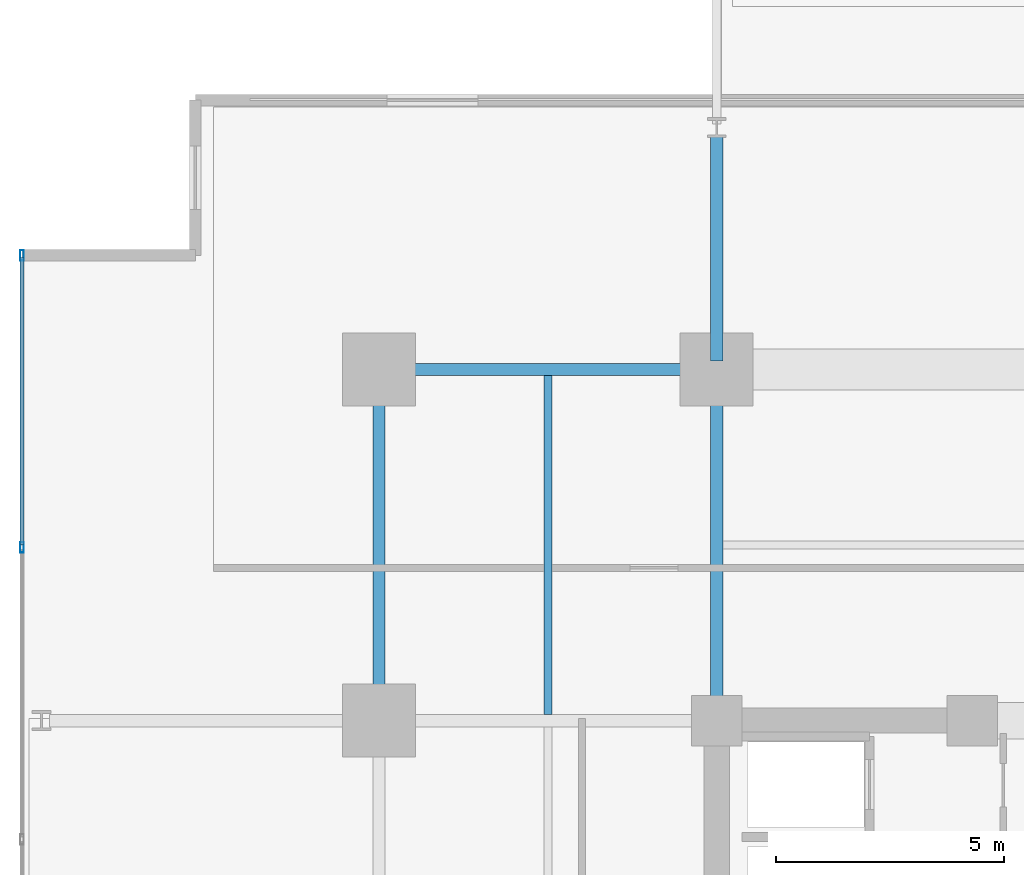
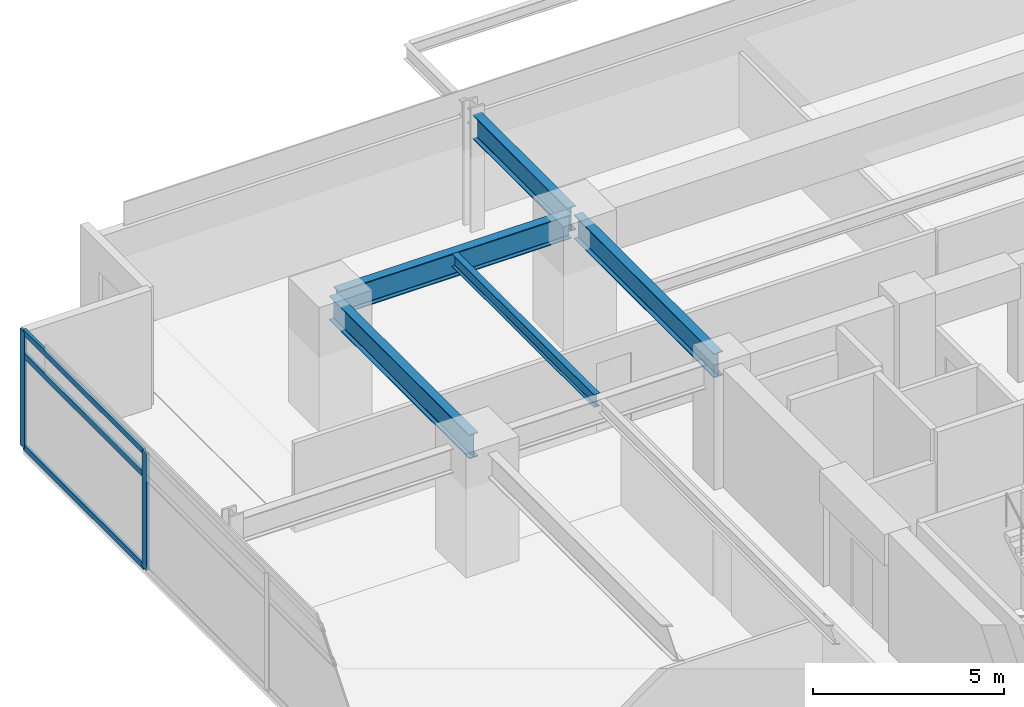
# One storey, part 10 of 20: 5 beams, 5 members, 1 element without a shape of its own.
"""IFC4 building model written with IfcOpenShell, lengths in metres."""

from ifc_helpers import new_model, si_unit, direction, frame, origin, origin_2d, place, context, subcontext, project, spatial, hollow_rectangle, i_section, extrude, material, material_profile, profile_set, type_object, element, aggregate, save


model = new_model("IFC4")

# Units and contexts
model_context = context("Model", 3, precision=1e-05, world=origin(), true_north=direction((0.0, 1.0)))
body_context = subcontext(model_context, "Body", "Model", "MODEL_VIEW")
ifc_project = project(units=[si_unit("LENGTHUNIT", "METRE"), si_unit("AREAUNIT", "SQUARE_METRE"), si_unit("VOLUMEUNIT", "CUBIC_METRE"), si_unit("PLANEANGLEUNIT", "RADIAN"), si_unit("MASSUNIT", "GRAM", prefix="KILO")], contexts=[model_context])

# Site, building, storey
site_placement = place(None, origin())
site = spatial("IfcSite", under=ifc_project, at=site_placement, CompositionType="ELEMENT")
building_placement = place(site_placement, origin())
building = spatial("IfcBuilding", under=site, at=building_placement, Name="Kovane Verandah Tower", CompositionType="ELEMENT")
storey_placement = place(building_placement, frame((0.0, 0.0, 128.39990234375)))
storey = spatial("IfcBuildingStorey", under=building, at=storey_placement, Name="L29", CompositionType="ELEMENT", Elevation=128.39990234375)

# Beams
ifc_material_1 = material(Name="Steel S355", Category="steel")
ifc_material_profile_1 = material_profile(ifc_material_1, i_section(OverallWidth=0.26806640625, OverallDepth=0.769775390625, WebThickness=0.015625, FlangeThickness=0.025390625, FilletRadius=0.0166015625, at=origin_2d()), Name="UB762x267x197")
ifc_profile_set_1 = profile_set([ifc_material_profile_1], Name="Steel S355")
beam_type_1 = type_object("IfcBeamType", Name="BM-UB762x197", PredefinedType="BEAM", material=ifc_profile_set_1)
beam_1_placement = place(storey_placement, frame((21.780029296875, 44.199951171875, 3.39013671875), z_axis=(1.0, 0.0, 0.0), x_axis=(0.0, 1.0, 0.0)))
element("IfcBeam", 1, at=beam_1_placement, inside=storey, type_object=beam_type_1, Name="L29 Primary Tower Girder G-RN1", PredefinedType="BEAM", context=body_context, shape_type="SweptSolid", body=[
    extrude(i_section(OverallWidth=0.26806640625, OverallDepth=0.769775390625, WebThickness=0.015625, FlangeThickness=0.025390625, FilletRadius=0.0166015625, at=origin_2d()), origin(), (0.0, 0.0, 1.0), 7.0400390625),
])
for number, where, z_axis, x_axis, name in (
    (2, (21.60009765625, 36.679931640625, 3.39013671875), (0.0, 1.0, 0.0), (-1.0, 0.0, 0.0), "L29 Primary Tower Girder G-RW3"),
    (3, (29.0, 36.679931640625, 3.39013671875), (0.0, 1.0, 0.0), (-1.0, 0.0, 0.0), "L29 Primary Tower Girder G-N1"),
):
    element("IfcBeam", number, at=place(storey_placement, frame(where, z_axis=z_axis, x_axis=x_axis)), inside=storey, type_object=beam_type_1, Name=name, PredefinedType="BEAM", context=body_context, shape_type="SweptSolid", body=[
        extrude(i_section(OverallWidth=0.26806640625, OverallDepth=0.769775390625, WebThickness=0.015625, FlangeThickness=0.025390625, FilletRadius=0.0166015625, at=origin_2d()), origin(), (0.0, 0.0, 1.0), 7.340087890625),
    ])
beam_2_placement = place(storey_placement, frame((29.0, 44.3798828125, 3.375244140625), z_axis=(0.0, 1.0, 0.0), x_axis=(-1.0, 0.0, 0.0)))
element("IfcBeam", 4, at=beam_2_placement, inside=storey, type_object=beam_type_1, Name="L29 Primary Tower Girder G-VN1", PredefinedType="BEAM", context=body_context, shape_type="SweptSolid", body=[
    extrude(i_section(OverallWidth=0.26806640625, OverallDepth=0.769775390625, WebThickness=0.015625, FlangeThickness=0.025390625, FilletRadius=0.0166015625, at=origin_2d()), origin(), (0.0, 0.0, 1.0), 4.940185546875),
])

# Curtain wall, members
ifc_material_2 = material(Name="Champagne Anodised Aluminium Frame with Low-E Clear Laminated Glass", Category="aluminium")
curtain_wall_type = type_object("IfcCurtainWallType", Name="CW-SYS-03-MID", PredefinedType="NOTDEFINED", material=ifc_material_2)
curtain_wall_placement = place(storey_placement, origin())
curtain_wall = element("IfcCurtainWall", 5, at=curtain_wall_placement, inside=storey, type_object=curtain_wall_type, Name="L29 W Unitised Curtain Wall", PredefinedType="NOTDEFINED")
ifc_material_3 = material(Name="Champagne Anodised Aluminium 6063-T6", Category="aluminium")
ifc_material_profile_2 = material_profile(ifc_material_3, hollow_rectangle(XDim=0.0849609375, YDim=0.22998046875, WallThickness=0.00390625, at=origin_2d()), Name="AL85x230x4")
ifc_profile_set_2 = profile_set([ifc_material_profile_2], Name="Champagne Anodised Aluminium 6063-T6")
member_type_1 = type_object("IfcMemberType", Name="CW-MUL-85x230", PredefinedType="MULLION", material=ifc_profile_set_2)
member_1_placement = place(storey_placement, frame((13.771240234375, 46.7001953125, 0.02001953125), z_axis=(0.0, 0.0, 1.0), x_axis=(-1.0, 0.0, 0.0)))
member_1 = element("IfcMember", 6, at=member_1_placement, type_object=member_type_1, Name="L29 W Unitised Curtain Wall Mullion 1", PredefinedType="MULLION", context=body_context, shape_type="SweptSolid", body=[
    extrude(hollow_rectangle(XDim=0.0849609375, YDim=0.22998046875, WallThickness=0.00390625, at=origin_2d()), origin(), (0.0, 0.0, 1.0), 3.735107421875),
])
member_2_placement = place(storey_placement, frame((13.771240234375, 40.300048828125, 0.02001953125), z_axis=(0.0, 0.0, 1.0), x_axis=(-1.0, 0.0, 0.0)))
member_2 = element("IfcMember", 7, at=member_2_placement, type_object=member_type_1, Name="L29 W Unitised Curtain Wall Mullion 2", PredefinedType="MULLION", context=body_context, shape_type="SweptSolid", body=[
    extrude(hollow_rectangle(XDim=0.0849609375, YDim=0.22998046875, WallThickness=0.00390625, at=origin_2d()), origin(), (0.0, 0.0, 1.0), 3.735107421875),
])
ifc_material_profile_3 = material_profile(ifc_material_3, hollow_rectangle(XDim=0.0849609375, YDim=0.18994140625, WallThickness=0.00390625, at=origin_2d()), Name="AL85x190x4")
ifc_profile_set_3 = profile_set([ifc_material_profile_3], Name="Champagne Anodised Aluminium 6063-T6")
member_type_2 = type_object("IfcMemberType", Name="CW-TRN-85x190", PredefinedType="USERDEFINED", material=ifc_profile_set_3)
member_3_placement = place(storey_placement, frame((13.771240234375, 46.650146484375, 0.050048828125), z_axis=(0.0, -1.0, 0.0), x_axis=(1.0, 0.0, 0.0)))
member_3 = element("IfcMember", 8, at=member_3_placement, type_object=member_type_2, Name="L29 W Unitised Curtain Wall Transom TB Bay 1", ObjectType="TRANSOM", PredefinedType="USERDEFINED", context=body_context, shape_type="SweptSolid", body=[
    extrude(hollow_rectangle(XDim=0.0849609375, YDim=0.18994140625, WallThickness=0.00390625, at=origin_2d()), origin(), (0.0, 0.0, 1.0), 6.300048828125),
])
member_4_placement = place(storey_placement, frame((13.771240234375, 46.650146484375, 2.9951171875), z_axis=(0.0, -1.0, 0.0), x_axis=(1.0, 0.0, 0.0)))
member_4 = element("IfcMember", 9, at=member_4_placement, type_object=member_type_2, Name="L29 W Unitised Curtain Wall Transom TM Bay 1", ObjectType="TRANSOM", PredefinedType="USERDEFINED", context=body_context, shape_type="SweptSolid", body=[
    extrude(hollow_rectangle(XDim=0.0849609375, YDim=0.18994140625, WallThickness=0.00390625, at=origin_2d()), origin(), (0.0, 0.0, 1.0), 6.300048828125),
])
member_5_placement = place(storey_placement, frame((13.771240234375, 46.650146484375, 3.72509765625), z_axis=(0.0, -1.0, 0.0), x_axis=(1.0, 0.0, 0.0)))
member_5 = element("IfcMember", 10, at=member_5_placement, type_object=member_type_2, Name="L29 W Unitised Curtain Wall Transom TT Bay 1", ObjectType="TRANSOM", PredefinedType="USERDEFINED", context=body_context, shape_type="SweptSolid", body=[
    extrude(hollow_rectangle(XDim=0.0849609375, YDim=0.18994140625, WallThickness=0.00390625, at=origin_2d()), origin(), (0.0, 0.0, 1.0), 6.300048828125),
])
aggregate(curtain_wall, [member_1, member_2, member_3, member_4, member_5])

# Beam
ifc_material_profile_4 = material_profile(ifc_material_1, i_section(OverallWidth=0.179443359375, OverallDepth=0.412841796875, WebThickness=0.009521484375, FlangeThickness=0.01611328125, FilletRadius=0.01025390625, at=origin_2d()), Name="UB406x178x74")
ifc_profile_set_4 = profile_set([ifc_material_profile_4], Name="Steel S355")
beam_type_2 = type_object("IfcBeamType", Name="JST-UB406x74", PredefinedType="JOIST", material=ifc_profile_set_4)
beam_3_placement = place(storey_placement, frame((25.300048828125, 36.632080078125, 3.568603515625), z_axis=(0.0, 1.0, 0.0), x_axis=(-1.0, 0.0, 0.0)))
element("IfcBeam", 11, at=beam_3_placement, inside=storey, type_object=beam_type_2, Name="L29 Secondary Composite Joist J-NW1", PredefinedType="JOIST", context=body_context, shape_type="SweptSolid", body=[
    extrude(i_section(OverallWidth=0.179443359375, OverallDepth=0.412841796875, WebThickness=0.009521484375, FlangeThickness=0.01611328125, FilletRadius=0.01025390625, at=origin_2d()), origin(), (0.0, 0.0, 1.0), 7.43603515625),
])

save(model, "model.ifc")
